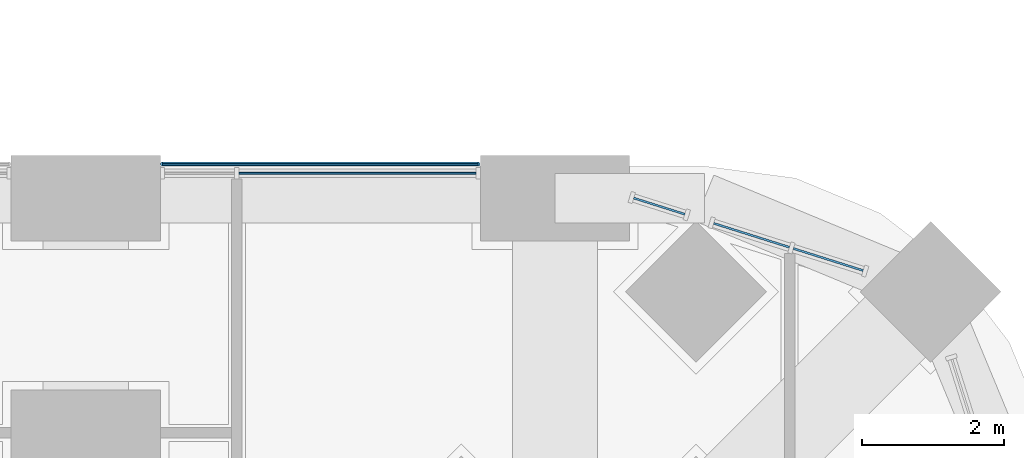
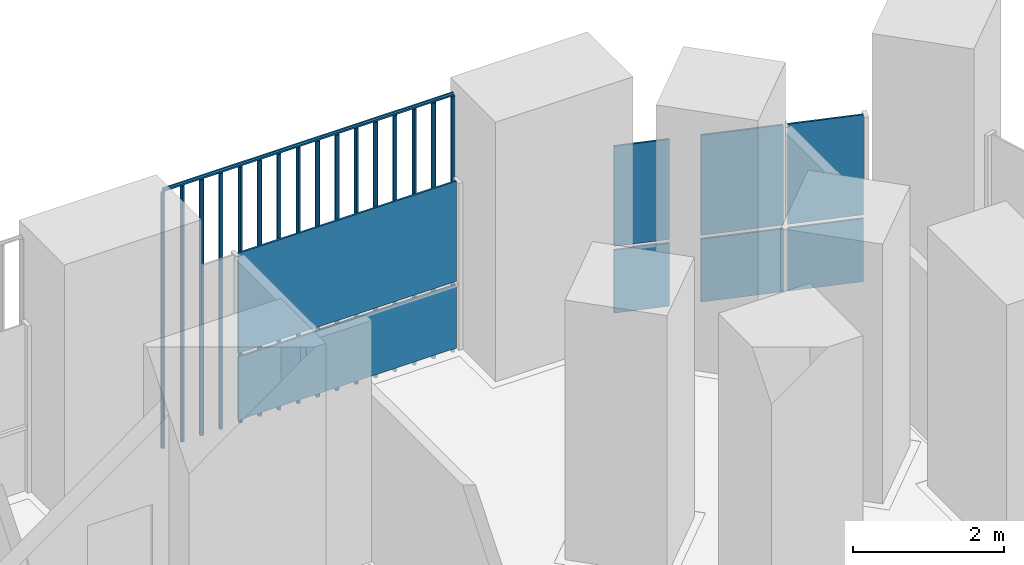
# One storey, part 16 of 26: 9 plates, 3 elements without a shape of their own.
"""IFC4 building model written with IfcOpenShell, lengths in metres."""

from ifc_helpers import new_model, si_unit, direction, frame, origin, origin_2d, place, context, subcontext, project, spatial, polyline, rectangle, outline, extrude, material, layer, layer_set, type_object, element, aggregate, save


model = new_model("IFC4")

# Units and contexts
model_context = context("Model", 3, precision=1e-05, world=origin(), true_north=direction((0.0, 1.0)))
body_context = subcontext(model_context, "Body", "Model", "MODEL_VIEW")
ifc_project = project(units=[si_unit("LENGTHUNIT", "METRE"), si_unit("AREAUNIT", "SQUARE_METRE"), si_unit("VOLUMEUNIT", "CUBIC_METRE"), si_unit("PLANEANGLEUNIT", "RADIAN"), si_unit("MASSUNIT", "GRAM", prefix="KILO")], contexts=[model_context])

# Site, building, storey
site_placement = place(None, origin())
site = spatial("IfcSite", under=ifc_project, at=site_placement, CompositionType="ELEMENT")
building_placement = place(site_placement, origin())
building = spatial("IfcBuilding", under=site, at=building_placement, Name="Cobogo Forest Laboratory Tower", CompositionType="ELEMENT")
storey_placement = place(building_placement, frame((0.0, 0.0, 42.300048828125)))
storey = spatial("IfcBuildingStorey", under=building, at=storey_placement, Name="L09", CompositionType="ELEMENT", Elevation=42.300048828125)

# Curtain wall, plates
ifc_material_1 = material(Name="Aluminium curtain wall", Category="aluminium")
curtain_wall_type = type_object("IfcCurtainWallType", Name="CW-1 unitised curtain wall, clear glazing, laboratory floors zones A and B", PredefinedType="USERDEFINED", material=ifc_material_1)
curtain_wall_1_placement = place(storey_placement, origin())
curtain_wall_1 = element("IfcCurtainWall", 1, at=curtain_wall_1_placement, inside=storey, type_object=curtain_wall_type, Name="Curtain wall 16 L09", ObjectType="UNITISED CURTAIN WALL", PredefinedType="USERDEFINED")
ifc_material_2 = material(Name="Clear insulated glass", Category="glass")
ifc_layer = layer(ifc_material_2, 0.028076171875)
ifc_layer_set = layer_set([ifc_layer], Name="GP-1 clear insulated glass unit 28")
plate_type_1 = type_object("IfcPlateType", Name="GP-1 clear insulated glass unit 28", PredefinedType="CURTAIN_PANEL", material=ifc_layer_set)
plate_1_placement = place(storey_placement, frame((50.042724609375, 45.33642578125, 0.0), z_axis=(0.0, 0.0, 1.0), x_axis=(-0.953581409645, 0.301135343623, 0.0)))
plate_1 = element("IfcPlate", 2, at=plate_1_placement, type_object=plate_type_1, Name="CW-1 panel 1.1", PredefinedType="CURTAIN_PANEL", context=body_context, shape_type="SweptSolid", body=[
    extrude(rectangle(XDim=1.027587890625, YDim=0.028076171875, at=origin_2d()), origin(), (0.0, 0.0, 1.0), 1.02001953125),
])
plate_2_placement = place(storey_placement, frame((50.042724609375, 45.33642578125, 1.079833984375), z_axis=(0.0, 0.0, 1.0), x_axis=(-0.953581409645, 0.301135343623, 0.0)))
plate_2 = element("IfcPlate", 3, at=plate_2_placement, type_object=plate_type_1, Name="CW-1 panel 1.2", PredefinedType="CURTAIN_PANEL", context=body_context, shape_type="SweptSolid", body=[
    extrude(rectangle(XDim=1.027587890625, YDim=0.028076171875, at=origin_2d()), origin(), (0.0, 0.0, 1.0), 1.6201171875),
])
plate_3_placement = place(storey_placement, frame((48.963623046875, 45.67724609375, 0.0), z_axis=(0.0, 0.0, 1.0), x_axis=(-0.953581409645, 0.301135343623, 0.0)))
plate_3 = element("IfcPlate", 4, at=plate_3_placement, type_object=plate_type_1, Name="CW-1 panel 2.1", PredefinedType="CURTAIN_PANEL", context=body_context, shape_type="SweptSolid", body=[
    extrude(rectangle(XDim=1.11572265625, YDim=0.028076171875, at=origin_2d()), origin(), (0.0, 0.0, 1.0), 1.02001953125),
])
plate_4_placement = place(storey_placement, frame((48.963623046875, 45.67724609375, 1.079833984375), z_axis=(0.0, 0.0, 1.0), x_axis=(-0.953581409645, 0.301135343623, 0.0)))
plate_4 = element("IfcPlate", 5, at=plate_4_placement, type_object=plate_type_1, Name="CW-1 panel 2.2", PredefinedType="CURTAIN_PANEL", context=body_context, shape_type="SweptSolid", body=[
    extrude(rectangle(XDim=1.11572265625, YDim=0.028076171875, at=origin_2d()), origin(), (0.0, 0.0, 1.0), 1.6201171875),
])
aggregate(curtain_wall_1, [plate_1, plate_2, plate_3, plate_4])

curtain_wall_2_placement = place(storey_placement, origin())
curtain_wall_2 = element("IfcCurtainWall", 6, at=curtain_wall_2_placement, inside=storey, type_object=curtain_wall_type, Name="Curtain wall 17 L09", ObjectType="UNITISED CURTAIN WALL", PredefinedType="USERDEFINED")
plate_5_placement = place(storey_placement, frame((47.666015625, 46.087158203125, 0.0), z_axis=(0.0, 0.0, 1.0), x_axis=(-0.953581504428, 0.301135043481, 0.0)))
plate_5 = element("IfcPlate", 7, at=plate_5_placement, type_object=plate_type_1, Name="CW-1 panel 1.1", PredefinedType="CURTAIN_PANEL", context=body_context, shape_type="SweptSolid", body=[
    extrude(rectangle(XDim=0.75244140625, YDim=0.028076171875, at=origin_2d()), origin(), (0.0, 0.0, 1.0), 1.02001953125),
])
plate_6_placement = place(storey_placement, frame((47.666015625, 46.087158203125, 1.079833984375), z_axis=(0.0, 0.0, 1.0), x_axis=(-0.953581504428, 0.301135043481, 0.0)))
plate_6 = element("IfcPlate", 8, at=plate_6_placement, type_object=plate_type_1, Name="CW-1 panel 1.2", PredefinedType="CURTAIN_PANEL", context=body_context, shape_type="SweptSolid", body=[
    extrude(rectangle(XDim=0.75244140625, YDim=0.028076171875, at=origin_2d()), origin(), (0.0, 0.0, 1.0), 1.6201171875),
])
aggregate(curtain_wall_2, [plate_5, plate_6])

curtain_wall_3_placement = place(storey_placement, origin())
curtain_wall_3 = element("IfcCurtainWall", 9, at=curtain_wall_3_placement, inside=storey, type_object=curtain_wall_type, Name="Curtain wall 18 L09", ObjectType="UNITISED CURTAIN WALL", PredefinedType="USERDEFINED")
plate_7_placement = place(storey_placement, frame((43.422607421875, 46.550048828125, 0.0), z_axis=(0.0, 0.0, 1.0), x_axis=(-1.0, 0.0, 0.0)))
plate_7 = element("IfcPlate", 10, at=plate_7_placement, type_object=plate_type_1, Name="CW-1 panel 1.1", PredefinedType="CURTAIN_PANEL", context=body_context, shape_type="SweptSolid", body=[
    extrude(rectangle(XDim=3.3349609375, YDim=0.028076171875, at=origin_2d()), origin(), (0.0, 0.0, 1.0), 1.02001953125),
])
plate_8_placement = place(storey_placement, frame((43.422607421875, 46.550048828125, 1.079833984375), z_axis=(0.0, 0.0, 1.0), x_axis=(-1.0, 0.0, 0.0)))
plate_8 = element("IfcPlate", 11, at=plate_8_placement, type_object=plate_type_1, Name="CW-1 panel 1.2", PredefinedType="CURTAIN_PANEL", context=body_context, shape_type="SweptSolid", body=[
    extrude(rectangle(XDim=3.3349609375, YDim=0.028076171875, at=origin_2d()), origin(), (0.0, 0.0, 1.0), 1.6201171875),
])
aggregate(curtain_wall_3, [plate_7, plate_8])

# Plate
ifc_material_3 = material(Name="Terracotta", Category="masonry")
plate_type_2 = type_object("IfcPlateType", Name="TB1 terracotta baguette screen", PredefinedType="USERDEFINED", material=ifc_material_3)
plate_9_placement = place(storey_placement, frame((40.68115234375, 46.677978515625, -0.150146484375)))
element("IfcPlate", 12, at=plate_9_placement, inside=storey, type_object=plate_type_2, Name="Baguette screen N6 L09", ObjectType="BAGUETTE SCREEN", PredefinedType="USERDEFINED", context=body_context, shape_type="SweptSolid", body=[
    extrude(outline(polyline([(0.02880859375, 0.011962890625), (0.011962890625, 0.02880859375), (-0.011962890625, 0.02880859375), (-0.02880859375, 0.011962890625), (-0.02880859375, -0.011962890625), (-0.011962890625, -0.02880859375), (0.011962890625, -0.02880859375), (0.02880859375, -0.011962890625), (0.02880859375, 0.011962890625)])), frame((0.0, 0.0, 4.168701171875), z_axis=(1.0, 0.0, 0.0), x_axis=(0.0, 1.0, 0.0)), (0.0, 0.0, 1.0), 4.4375),
    extrude(outline(polyline([(0.02880859375, 0.011962890625), (0.011962890625, 0.02880859375), (-0.011962890625, 0.02880859375), (-0.02880859375, 0.011962890625), (-0.02880859375, -0.011962890625), (-0.011962890625, -0.02880859375), (0.011962890625, -0.02880859375), (0.02880859375, -0.011962890625), (0.02880859375, 0.011962890625)])), origin(), (0.0, 0.0, 1.0), 4.137451171875),
    extrude(outline(polyline([(0.02880859375, 0.011962890625), (0.011962890625, 0.02880859375), (-0.011962890625, 0.02880859375), (-0.02880859375, 0.011962890625), (-0.02880859375, -0.011962890625), (-0.011962890625, -0.02880859375), (0.011962890625, -0.02880859375), (0.02880859375, -0.011962890625), (0.02880859375, 0.011962890625)])), frame((0.2958984375, 0.0, 0.0)), (0.0, 0.0, 1.0), 4.137451171875),
    extrude(outline(polyline([(0.02880859375, 0.011962890625), (0.011962890625, 0.02880859375), (-0.011962890625, 0.02880859375), (-0.02880859375, 0.011962890625), (-0.02880859375, -0.011962890625), (-0.011962890625, -0.02880859375), (0.011962890625, -0.02880859375), (0.02880859375, -0.011962890625), (0.02880859375, 0.011962890625)])), frame((0.591552734375, 0.0, 0.0)), (0.0, 0.0, 1.0), 4.137451171875),
    extrude(outline(polyline([(0.02880859375, 0.011962890625), (0.011962890625, 0.02880859375), (-0.011962890625, 0.02880859375), (-0.02880859375, 0.011962890625), (-0.02880859375, -0.011962890625), (-0.011962890625, -0.02880859375), (0.011962890625, -0.02880859375), (0.02880859375, -0.011962890625), (0.02880859375, 0.011962890625)])), frame((0.887451171875, 0.0, 0.0)), (0.0, 0.0, 1.0), 4.137451171875),
    extrude(outline(polyline([(0.02880859375, 0.011962890625), (0.011962890625, 0.02880859375), (-0.011962890625, 0.02880859375), (-0.02880859375, 0.011962890625), (-0.02880859375, -0.011962890625), (-0.011962890625, -0.02880859375), (0.011962890625, -0.02880859375), (0.02880859375, -0.011962890625), (0.02880859375, 0.011962890625)])), frame((1.183349609375, 0.0, 0.0)), (0.0, 0.0, 1.0), 4.137451171875),
    extrude(outline(polyline([(0.02880859375, 0.011962890625), (0.011962890625, 0.02880859375), (-0.011962890625, 0.02880859375), (-0.02880859375, 0.011962890625), (-0.02880859375, -0.011962890625), (-0.011962890625, -0.02880859375), (0.011962890625, -0.02880859375), (0.02880859375, -0.011962890625), (0.02880859375, 0.011962890625)])), frame((1.479248046875, 0.0, 0.0)), (0.0, 0.0, 1.0), 4.137451171875),
    extrude(outline(polyline([(0.02880859375, 0.011962890625), (0.011962890625, 0.02880859375), (-0.011962890625, 0.02880859375), (-0.02880859375, 0.011962890625), (-0.02880859375, -0.011962890625), (-0.011962890625, -0.02880859375), (0.011962890625, -0.02880859375), (0.02880859375, -0.011962890625), (0.02880859375, 0.011962890625)])), frame((1.77490234375, 0.0, 0.0)), (0.0, 0.0, 1.0), 4.137451171875),
    extrude(outline(polyline([(0.02880859375, 0.011962890625), (0.011962890625, 0.02880859375), (-0.011962890625, 0.02880859375), (-0.02880859375, 0.011962890625), (-0.02880859375, -0.011962890625), (-0.011962890625, -0.02880859375), (0.011962890625, -0.02880859375), (0.02880859375, -0.011962890625), (0.02880859375, 0.011962890625)])), frame((2.07080078125, 0.0, 0.0)), (0.0, 0.0, 1.0), 4.137451171875),
    extrude(outline(polyline([(0.02880859375, 0.011962890625), (0.011962890625, 0.02880859375), (-0.011962890625, 0.02880859375), (-0.02880859375, 0.011962890625), (-0.02880859375, -0.011962890625), (-0.011962890625, -0.02880859375), (0.011962890625, -0.02880859375), (0.02880859375, -0.011962890625), (0.02880859375, 0.011962890625)])), frame((2.36669921875, 0.0, 0.0)), (0.0, 0.0, 1.0), 4.137451171875),
    extrude(outline(polyline([(0.02880859375, 0.011962890625), (0.011962890625, 0.02880859375), (-0.011962890625, 0.02880859375), (-0.02880859375, 0.011962890625), (-0.02880859375, -0.011962890625), (-0.011962890625, -0.02880859375), (0.011962890625, -0.02880859375), (0.02880859375, -0.011962890625), (0.02880859375, 0.011962890625)])), frame((2.66259765625, 0.0, 0.0)), (0.0, 0.0, 1.0), 4.137451171875),
    extrude(outline(polyline([(0.02880859375, 0.011962890625), (0.011962890625, 0.02880859375), (-0.011962890625, 0.02880859375), (-0.02880859375, 0.011962890625), (-0.02880859375, -0.011962890625), (-0.011962890625, -0.02880859375), (0.011962890625, -0.02880859375), (0.02880859375, -0.011962890625), (0.02880859375, 0.011962890625)])), frame((2.958251953125, 0.0, 0.0)), (0.0, 0.0, 1.0), 4.137451171875),
    extrude(outline(polyline([(0.02880859375, 0.011962890625), (0.011962890625, 0.02880859375), (-0.011962890625, 0.02880859375), (-0.02880859375, 0.011962890625), (-0.02880859375, -0.011962890625), (-0.011962890625, -0.02880859375), (0.011962890625, -0.02880859375), (0.02880859375, -0.011962890625), (0.02880859375, 0.011962890625)])), frame((3.254150390625, 0.0, 0.0)), (0.0, 0.0, 1.0), 4.137451171875),
    extrude(outline(polyline([(0.02880859375, 0.011962890625), (0.011962890625, 0.02880859375), (-0.011962890625, 0.02880859375), (-0.02880859375, 0.011962890625), (-0.02880859375, -0.011962890625), (-0.011962890625, -0.02880859375), (0.011962890625, -0.02880859375), (0.02880859375, -0.011962890625), (0.02880859375, 0.011962890625)])), frame((3.550048828125, 0.0, 0.0)), (0.0, 0.0, 1.0), 4.137451171875),
    extrude(outline(polyline([(0.02880859375, 0.011962890625), (0.011962890625, 0.02880859375), (-0.011962890625, 0.02880859375), (-0.02880859375, 0.011962890625), (-0.02880859375, -0.011962890625), (-0.011962890625, -0.02880859375), (0.011962890625, -0.02880859375), (0.02880859375, -0.011962890625), (0.02880859375, 0.011962890625)])), frame((3.845947265625, 0.0, 0.0)), (0.0, 0.0, 1.0), 4.137451171875),
    extrude(outline(polyline([(0.02880859375, 0.011962890625), (0.011962890625, 0.02880859375), (-0.011962890625, 0.02880859375), (-0.02880859375, 0.011962890625), (-0.02880859375, -0.011962890625), (-0.011962890625, -0.02880859375), (0.011962890625, -0.02880859375), (0.02880859375, -0.011962890625), (0.02880859375, 0.011962890625)])), frame((4.1416015625, 0.0, 0.0)), (0.0, 0.0, 1.0), 4.137451171875),
    extrude(outline(polyline([(0.02880859375, 0.011962890625), (0.011962890625, 0.02880859375), (-0.011962890625, 0.02880859375), (-0.02880859375, 0.011962890625), (-0.02880859375, -0.011962890625), (-0.011962890625, -0.02880859375), (0.011962890625, -0.02880859375), (0.02880859375, -0.011962890625), (0.02880859375, 0.011962890625)])), frame((4.4375, 0.0, 0.0)), (0.0, 0.0, 1.0), 4.137451171875),
])

save(model, "model.ifc")
